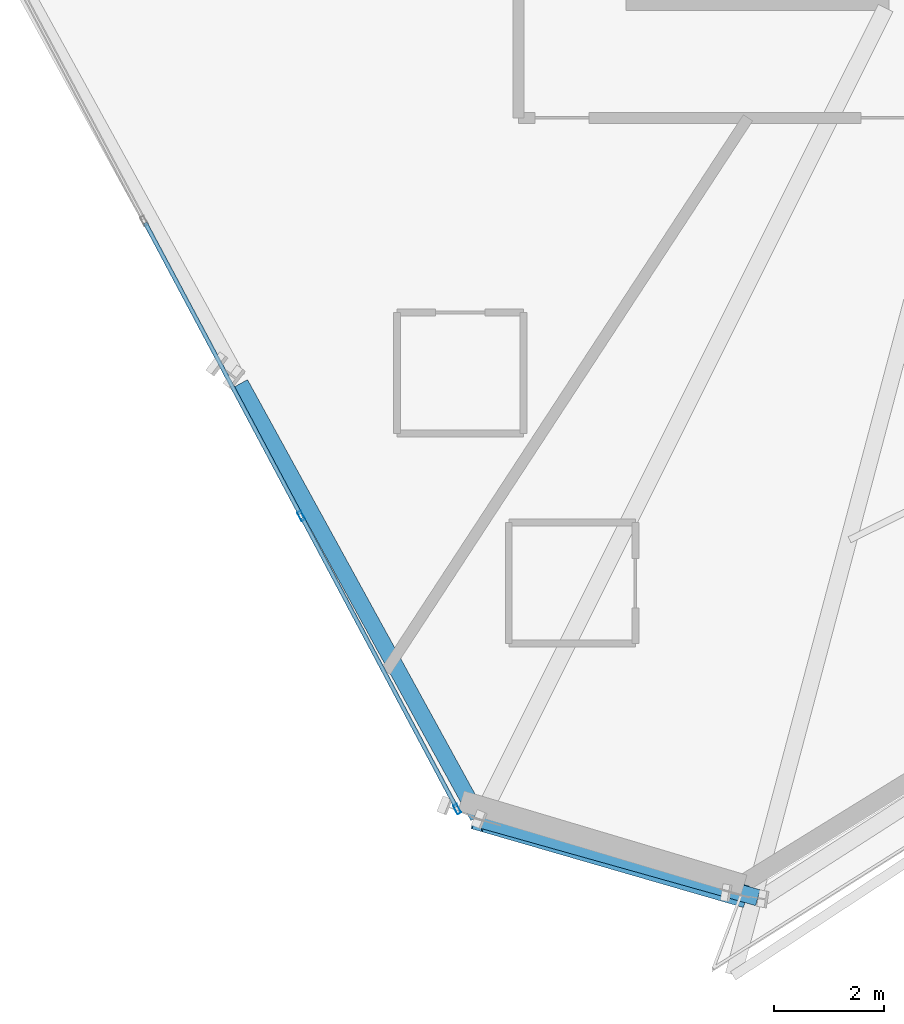
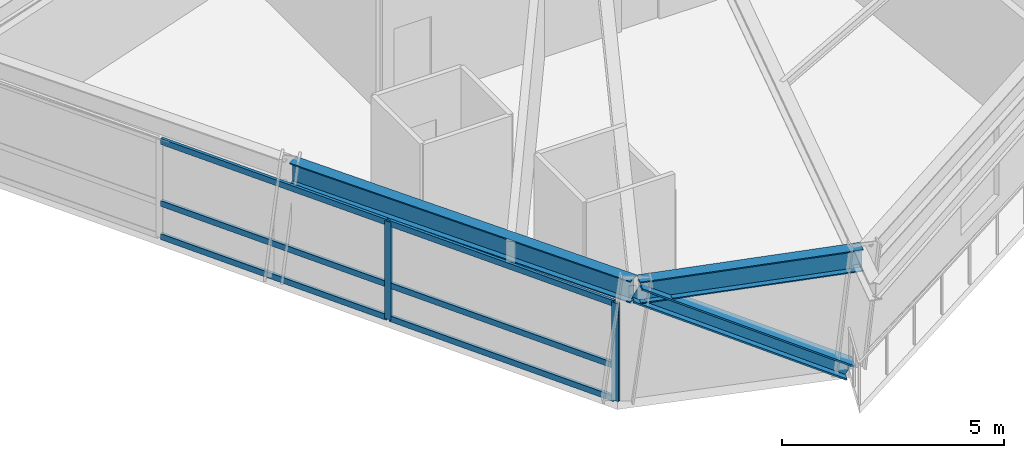
# One storey, part 2 of 21: 9 members, 2 beams, 1 element without a shape of its own.
"""IFC4 building model written with IfcOpenShell, lengths in metres."""

from ifc_helpers import new_model, si_unit, direction, frame, origin, origin_2d, place, context, subcontext, project, spatial, hollow_rectangle, i_section, extrude, source, transform, mapped, material, material_profile, profile_set, type_object, element, aggregate, save


model = new_model("IFC4")

# Units and contexts
model_context = context("Model", 3, precision=1e-05, world=origin(), true_north=direction((0.0, 1.0)))
body_context = subcontext(model_context, "Body", "Model", "MODEL_VIEW")
ifc_project = project(units=[si_unit("LENGTHUNIT", "METRE"), si_unit("AREAUNIT", "SQUARE_METRE"), si_unit("VOLUMEUNIT", "CUBIC_METRE"), si_unit("PLANEANGLEUNIT", "RADIAN"), si_unit("MASSUNIT", "GRAM", prefix="KILO")], contexts=[model_context])

# Site, building, storey
site_placement = place(None, origin())
site = spatial("IfcSite", under=ifc_project, at=site_placement, CompositionType="ELEMENT")
building_placement = place(site_placement, origin())
building = spatial("IfcBuilding", under=site, at=building_placement, Name="Olszyna Solenne Hotel", CompositionType="ELEMENT")
storey_placement = place(building_placement, frame((0.0, 0.0, 105.699951171875)))
storey = spatial("IfcBuildingStorey", under=building, at=storey_placement, Name="L27", CompositionType="ELEMENT", Elevation=105.699951171875)

# Beams
ifc_material_1 = material(Name="Steel S355J2", Category="steel")
ifc_material_profile_1 = material_profile(ifc_material_1, i_section(OverallWidth=0.300048828125, OverallDepth=0.60009765625, WebThickness=0.015380859375, FlangeThickness=0.030029296875, at=origin_2d()), Name="HEB 600", Category="load-bearing")
ifc_profile_set_1 = profile_set([ifc_material_profile_1], Name="Steel S355J2")
beam_type = type_object("IfcBeamType", Name="BM-S2", PredefinedType="BEAM", material=ifc_profile_set_1)
shared_shape_1 = source(origin(), body_context, "Body", "SweptSolid", [
    extrude(i_section(OverallWidth=0.300048828125, OverallDepth=0.60009765625, WebThickness=0.015380859375, FlangeThickness=0.030029296875, at=origin_2d()), origin(), (0.0, 0.0, 1.0), 8.980712890625),
])
beam_1_placement = place(storey_placement, frame((22.389404296875, 12.018310546875, 3.0), z_axis=(0.481341546285, -0.876533123059, 0.0), x_axis=(0.876533123059, 0.481341546285, 0.0)))
element("IfcBeam", 1, at=beam_1_placement, inside=storey, type_object=beam_type, Name="Perimeter spandrel beam BM-S2 B-L27-0817", PredefinedType="BEAM", context=body_context, shape_type="MappedRepresentation", body=[
    mapped(shared_shape_1, transform((0.0, 0.0, 0.0), x_axis=(1.0, 0.0, 0.0), y_axis=(0.0, 1.0, 0.0), z_axis=(0.0, 0.0, 1.0), scale=1.0)),
])
shared_shape_2 = source(origin(), body_context, "Body", "SweptSolid", [
    extrude(i_section(OverallWidth=0.300048828125, OverallDepth=0.60009765625, WebThickness=0.015380859375, FlangeThickness=0.030029296875, at=origin_2d()), origin(), (0.0, 0.0, 1.0), 5.19384765625),
])
beam_2_placement = place(storey_placement, frame((26.798828125, 4.07763671875, 3.0), z_axis=(0.96268768548, -0.270614892837, 0.0), x_axis=(0.270614892837, 0.96268768548, 0.0)))
element("IfcBeam", 2, at=beam_2_placement, inside=storey, type_object=beam_type, Name="Perimeter spandrel beam BM-S2 B-L27-0818", PredefinedType="BEAM", context=body_context, shape_type="MappedRepresentation", body=[
    mapped(shared_shape_2, transform((0.0, 0.0, 0.0), x_axis=(1.0, 0.0, 0.0), y_axis=(0.0, 1.0, 0.0), z_axis=(0.0, 0.0, 1.0), scale=1.0)),
])

# Member
ifc_material_2 = material(Name="Steel S460M", Category="steel")
ifc_material_profile_2 = material_profile(ifc_material_2, i_section(OverallWidth=0.406005859375, OverallDepth=0.416015625, WebThickness=0.026611328125, FlangeThickness=0.04150390625, at=origin_2d()), Name="HD 400x382", Category="load-bearing")
ifc_profile_set_2 = profile_set([ifc_material_profile_2], Name="Steel S460M")
member_type_1 = type_object("IfcMemberType", Name="BR-T2", PredefinedType="BRACE", material=ifc_profile_set_2)
shared_shape_3 = source(origin(), body_context, "Body", "SweptSolid", [
    extrude(i_section(OverallWidth=0.406005859375, OverallDepth=0.416015625, WebThickness=0.026611328125, FlangeThickness=0.04150390625, at=origin_2d()), origin(), (0.0, 0.0, 1.0), 5.763427734375),
])
member_1_placement = place(storey_placement, frame((31.4912109375, 2.7177734375, 0.010009765625), z_axis=(-0.824161319841, 0.238742454699, 0.513575855353), x_axis=(-0.278240277195, -0.960511503391, 0.0)))
element("IfcMember", 3, at=member_1_placement, inside=storey, type_object=member_type_1, Name="Perimeter braced-tube diagonal BR-T2 BR-L27-3", PredefinedType="BRACE", context=body_context, shape_type="MappedRepresentation", body=[
    mapped(shared_shape_3, transform((0.0, 0.0, 0.0), x_axis=(1.0, 0.0, 0.0), y_axis=(0.0, 1.0, 0.0), z_axis=(0.0, 0.0, 1.0), scale=1.0)),
])

# Curtain wall, members
ifc_material_3 = material(Name="Anodised bronze aluminium", Category="aluminium")
curtain_wall_type = type_object("IfcCurtainWallType", Name="CW-SYS-3", PredefinedType="NOTDEFINED", material=ifc_material_3)
curtain_wall_placement = place(storey_placement, origin())
curtain_wall = element("IfcCurtainWall", 4, at=curtain_wall_placement, inside=storey, type_object=curtain_wall_type, Name="Unitised curtain wall CW-SYS-3 CW-L27-01", PredefinedType="NOTDEFINED")
ifc_material_profile_3 = material_profile(ifc_material_3, hollow_rectangle(XDim=0.074951171875, YDim=0.179931640625, WallThickness=0.00439453125, at=origin_2d()), Name="MULL 180x75x4.5", Category="load-bearing")
ifc_profile_set_3 = profile_set([ifc_material_profile_3], Name="Anodised bronze aluminium")
member_type_2 = type_object("IfcMemberType", Name="CW-M2", PredefinedType="MULLION", material=ifc_profile_set_3)
shared_shape_4 = source(origin(), body_context, "Body", "SweptSolid", [
    extrude(hollow_rectangle(XDim=0.074951171875, YDim=0.179931640625, WallThickness=0.00439453125, at=origin_2d()), origin(), (0.0, 0.0, 1.0), 2.692138671875),
])
member_2_placement = place(storey_placement, frame((23.496337890625, 9.612548828125, 0.0), z_axis=(0.0, 0.0, 1.0), x_axis=(0.882776566905, 0.46979307458, 0.0)))
member_2 = element("IfcMember", 5, at=member_2_placement, type_object=member_type_2, Name="Curtain-wall mullion CW-M2 CM-L27-01-03", PredefinedType="MULLION", context=body_context, shape_type="MappedRepresentation", body=[
    mapped(shared_shape_4, transform((0.0, 0.0, 0.0), x_axis=(1.0, 0.0, 0.0), y_axis=(0.0, 1.0, 0.0), z_axis=(0.0, 0.0, 1.0), scale=1.0)),
])
member_3_placement = place(storey_placement, frame((26.332275390625, 4.283447265625, 0.0), z_axis=(0.0, 0.0, 1.0), x_axis=(0.882776566905, 0.46979307458, 0.0)))
member_3 = element("IfcMember", 6, at=member_3_placement, type_object=member_type_2, Name="Curtain-wall mullion CW-M2 CM-L27-01-04", PredefinedType="MULLION", context=body_context, shape_type="MappedRepresentation", body=[
    mapped(shared_shape_4, transform((0.0, 0.0, 0.0), x_axis=(1.0, 0.0, 0.0), y_axis=(0.0, 1.0, 0.0), z_axis=(0.0, 0.0, 1.0), scale=1.0)),
])
ifc_material_profile_4 = material_profile(ifc_material_3, hollow_rectangle(XDim=0.074951171875, YDim=0.159912109375, WallThickness=0.00390625, at=origin_2d()), Name="TRAN 160x75x4", Category="load-bearing")
ifc_profile_set_4 = profile_set([ifc_material_profile_4], Name="Anodised bronze aluminium")
member_type_3 = type_object("IfcMemberType", Name="CW-T1", PredefinedType="USERDEFINED", material=ifc_profile_set_4)
shared_shape_5 = source(origin(), body_context, "Body", "SweptSolid", [
    extrude(hollow_rectangle(XDim=0.074951171875, YDim=0.159912109375, WallThickness=0.00390625, at=origin_2d()), origin(), (0.0, 0.0, 1.0), 5.9990234375),
])
member_4_placement = place(storey_placement, frame((20.660400390625, 14.94140625, 0.03759765625), z_axis=(0.469762125319, -0.882793036683, 0.0), x_axis=(0.882793036683, 0.469762125319, 0.0)))
member_4 = element("IfcMember", 7, at=member_4_placement, type_object=member_type_3, Name="Curtain-wall transom CW-T1 CT-L27-01-04", ObjectType="TRANSOM", PredefinedType="USERDEFINED", context=body_context, shape_type="MappedRepresentation", body=[
    mapped(shared_shape_5, transform((0.0, 0.0, 0.0), x_axis=(1.0, 0.0, 0.0), y_axis=(0.0, 1.0, 0.0), z_axis=(0.0, 0.0, 1.0), scale=1.0)),
])
member_5_placement = place(storey_placement, frame((20.660400390625, 14.94140625, 0.949951171875), z_axis=(0.469762125319, -0.882793036683, 0.0), x_axis=(0.882793036683, 0.469762125319, 0.0)))
member_5 = element("IfcMember", 8, at=member_5_placement, type_object=member_type_3, Name="Curtain-wall transom CW-T1 CT-L27-01-05", ObjectType="TRANSOM", PredefinedType="USERDEFINED", context=body_context, shape_type="MappedRepresentation", body=[
    mapped(shared_shape_5, transform((0.0, 0.0, 0.0), x_axis=(1.0, 0.0, 0.0), y_axis=(0.0, 1.0, 0.0), z_axis=(0.0, 0.0, 1.0), scale=1.0)),
])
member_6_placement = place(storey_placement, frame((20.660400390625, 14.94140625, 2.654541015625), z_axis=(0.469762125319, -0.882793036683, 0.0), x_axis=(0.882793036683, 0.469762125319, 0.0)))
member_6 = element("IfcMember", 9, at=member_6_placement, type_object=member_type_3, Name="Curtain-wall transom CW-T1 CT-L27-01-06", ObjectType="TRANSOM", PredefinedType="USERDEFINED", context=body_context, shape_type="MappedRepresentation", body=[
    mapped(shared_shape_5, transform((0.0, 0.0, 0.0), x_axis=(1.0, 0.0, 0.0), y_axis=(0.0, 1.0, 0.0), z_axis=(0.0, 0.0, 1.0), scale=1.0)),
])
shared_shape_6 = source(origin(), body_context, "Body", "SweptSolid", [
    extrude(hollow_rectangle(XDim=0.074951171875, YDim=0.159912109375, WallThickness=0.00390625, at=origin_2d()), origin(), (0.0, 0.0, 1.0), 5.96142578125),
])
member_7_placement = place(storey_placement, frame((23.513916015625, 9.579345703125, 0.03759765625), z_axis=(0.469773931114, -0.882786754344, 0.0), x_axis=(0.882786754344, 0.469773931114, 0.0)))
member_7 = element("IfcMember", 10, at=member_7_placement, type_object=member_type_3, Name="Curtain-wall transom CW-T1 CT-L27-01-07", ObjectType="TRANSOM", PredefinedType="USERDEFINED", context=body_context, shape_type="MappedRepresentation", body=[
    mapped(shared_shape_6, transform((0.0, 0.0, 0.0), x_axis=(1.0, 0.0, 0.0), y_axis=(0.0, 1.0, 0.0), z_axis=(0.0, 0.0, 1.0), scale=1.0)),
])
member_8_placement = place(storey_placement, frame((23.513916015625, 9.579345703125, 0.949951171875), z_axis=(0.469773931114, -0.882786754344, 0.0), x_axis=(0.882786754344, 0.469773931114, 0.0)))
member_8 = element("IfcMember", 11, at=member_8_placement, type_object=member_type_3, Name="Curtain-wall transom CW-T1 CT-L27-01-08", ObjectType="TRANSOM", PredefinedType="USERDEFINED", context=body_context, shape_type="MappedRepresentation", body=[
    mapped(shared_shape_6, transform((0.0, 0.0, 0.0), x_axis=(1.0, 0.0, 0.0), y_axis=(0.0, 1.0, 0.0), z_axis=(0.0, 0.0, 1.0), scale=1.0)),
])
member_9_placement = place(storey_placement, frame((23.513916015625, 9.579345703125, 2.654541015625), z_axis=(0.469773931114, -0.882786754344, 0.0), x_axis=(0.882786754344, 0.469773931114, 0.0)))
member_9 = element("IfcMember", 12, at=member_9_placement, type_object=member_type_3, Name="Curtain-wall transom CW-T1 CT-L27-01-09", ObjectType="TRANSOM", PredefinedType="USERDEFINED", context=body_context, shape_type="MappedRepresentation", body=[
    mapped(shared_shape_6, transform((0.0, 0.0, 0.0), x_axis=(1.0, 0.0, 0.0), y_axis=(0.0, 1.0, 0.0), z_axis=(0.0, 0.0, 1.0), scale=1.0)),
])
aggregate(curtain_wall, [member_2, member_3, member_4, member_5, member_6, member_7, member_8, member_9])

save(model, "model.ifc")
